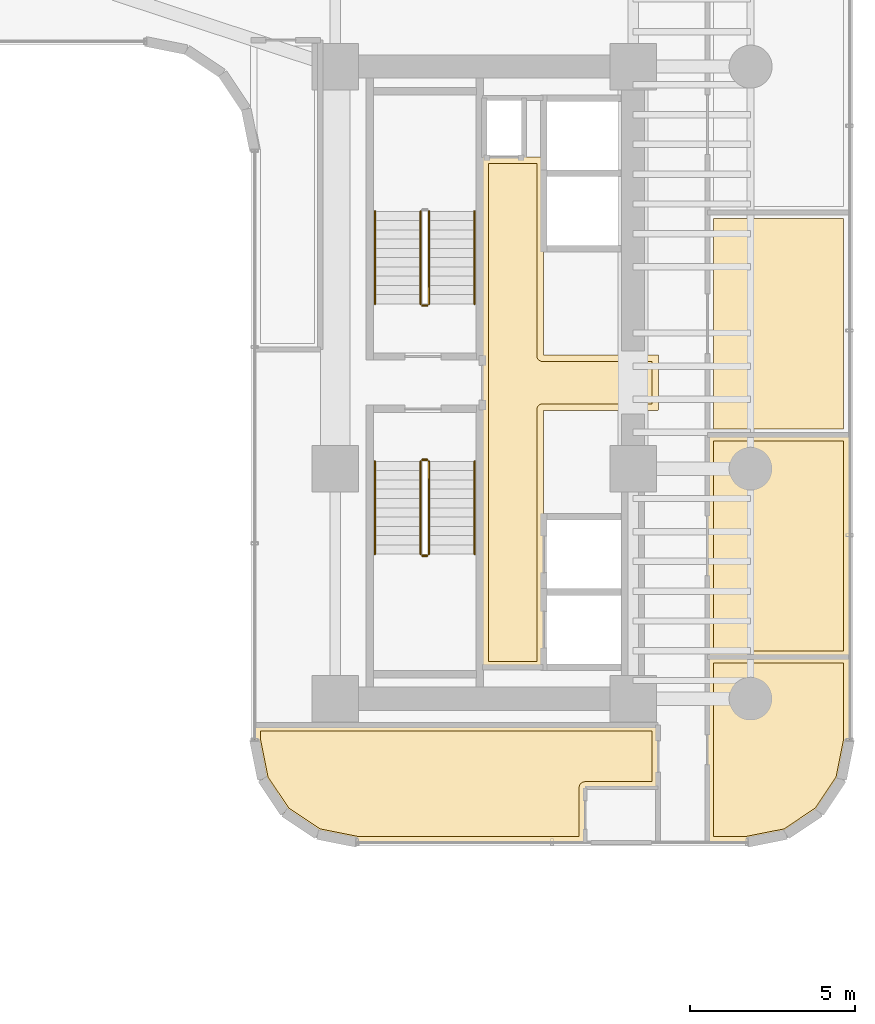
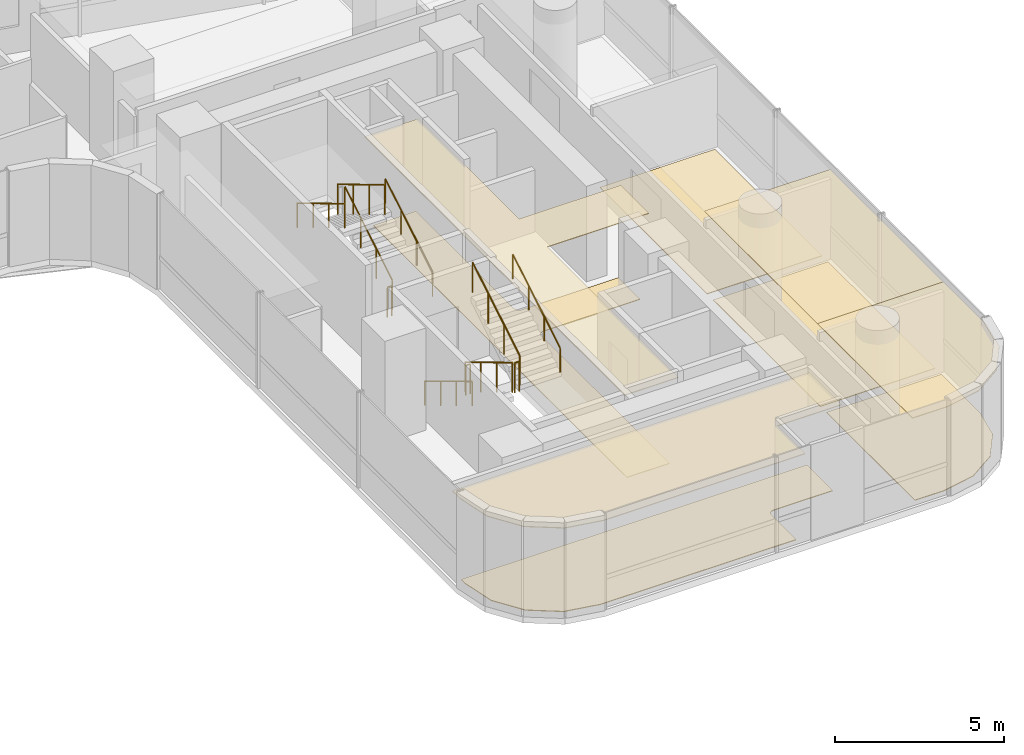
# One storey, part 37 of 40: 11 railings, 9 coverings.
"""IFC4 building model written with IfcOpenShell, lengths in metres."""

from ifc_helpers import new_model, si_unit, direction, frame, origin, origin_2d, place, context, subcontext, project, spatial, polyline, circle, outline, extrude, material, layer, layer_set, type_object, element, save


model = new_model("IFC4")

# Units and contexts
model_context = context("Model", 3, precision=1e-05, world=origin(), true_north=direction((0.0, 1.0)))
body_context = subcontext(model_context, "Body", "Model", "MODEL_VIEW")
ifc_project = project(units=[si_unit("LENGTHUNIT", "METRE"), si_unit("AREAUNIT", "SQUARE_METRE"), si_unit("VOLUMEUNIT", "CUBIC_METRE"), si_unit("PLANEANGLEUNIT", "RADIAN"), si_unit("MASSUNIT", "GRAM", prefix="KILO")], contexts=[model_context])

# Site, building, storey
site_placement = place(None, origin())
site = spatial("IfcSite", under=ifc_project, at=site_placement, CompositionType="ELEMENT")
building_placement = place(site_placement, origin())
building = spatial("IfcBuilding", under=site, at=building_placement, Name="Valdorenza Pilgrim Sanctuary Tower", CompositionType="ELEMENT")
storey_placement = place(building_placement, frame((0.0, 0.0, 40.800048828125)))
storey = spatial("IfcBuildingStorey", under=building, at=storey_placement, Name="L09", CompositionType="ELEMENT", Elevation=40.800048828125)

# Coverings
ifc_material_1 = material(Name="Micro-perforated acoustic mineral ceiling tile", Category="gypsum")
ifc_layer_1 = layer(ifc_material_1, 0.02490234375, Name="Micro-perforated acoustic mineral ceiling tile")
ifc_layer_set_1 = layer_set([ifc_layer_1], Name="Micro-perforated acoustic mineral ceiling tile")
covering_type_1 = type_object("IfcCoveringType", Name="COV-CLG-ACU", PredefinedType="CEILING", material=ifc_layer_set_1)
covering_1_placement = place(storey_placement, frame((0.0, 0.0, 3.159912109375)))
element("IfcCovering", 1, at=covering_1_placement, inside=storey, type_object=covering_type_1, Name="L09 Core B Passenger Lift Lobby Acoustic Ceiling", PredefinedType="CEILING", context=body_context, shape_type="SweptSolid", body=[
    extrude(outline(polyline([(20.287109375, -0.814697265625), (20.287109375, 0.814697265625), (20.28662109375, 0.815185546875), (20.2861328125, 0.81640625), (20.28564453125, 0.81787109375), (20.285400390625, 0.819091796875), (20.28515625, 0.820556640625), (20.284912109375, 0.822021484375), (20.284912109375, 6.800048828125), (20.28515625, 6.801513671875), (20.285400390625, 6.802978515625), (20.28564453125, 6.804443359375), (20.2861328125, 6.8056640625), (20.286865234375, 6.80712890625), (20.28759765625, 6.808349609375), (20.288330078125, 6.8095703125), (20.289306640625, 6.810546875), (20.29052734375, 6.8115234375), (20.291748046875, 6.8125), (20.29296875, 6.813232421875), (20.294189453125, 6.81396484375), (20.295654296875, 6.814453125), (20.297119140625, 6.814697265625), (20.298583984375, 6.81494140625), (20.300048828125, 6.81494140625), (20.347900390625, 6.81494140625), (20.349365234375, 6.81494140625), (20.350830078125, 6.814697265625), (20.352294921875, 6.814453125), (20.353515625, 6.81396484375), (20.35498046875, 6.813232421875), (20.35546875, 6.81298828125), (21.544677734375, 6.81298828125), (21.545166015625, 6.813232421875), (21.54638671875, 6.81396484375), (21.5478515625, 6.814453125), (21.54931640625, 6.814697265625), (21.550537109375, 6.81494140625), (21.552001953125, 6.81494140625), (22.1201171875, 6.81494140625), (22.12158203125, 6.81494140625), (22.122802734375, 6.814697265625), (22.12451171875, 6.814453125), (22.125732421875, 6.81396484375), (22.127197265625, 6.813232421875), (22.12841796875, 6.8125), (22.12939453125, 6.8115234375), (22.130615234375, 6.810546875), (22.131591796875, 6.8095703125), (22.132568359375, 6.808349609375), (22.13330078125, 6.80712890625), (22.1337890625, 6.8056640625), (22.134521484375, 6.804443359375), (22.134765625, 6.802978515625), (22.135009765625, 6.801513671875), (22.135009765625, 6.800048828125), (22.135009765625, 0.8349609375), (25.60009765625, 0.8349609375), (25.6015625, 0.8349609375), (25.602783203125, 0.834716796875), (25.6044921875, 0.83447265625), (25.605712890625, 0.833984375), (25.607177734375, 0.833251953125), (25.6083984375, 0.83251953125), (25.609619140625, 0.83154296875), (25.610595703125, 0.83056640625), (25.611572265625, 0.82958984375), (25.612548828125, 0.828369140625), (25.61328125, 0.8271484375), (25.614013671875, 0.82568359375), (25.614501953125, 0.824462890625), (25.61474609375, 0.822998046875), (25.614990234375, 0.821533203125), (25.614990234375, 0.820068359375), (25.614990234375, -0.820068359375), (25.614990234375, -0.821533203125), (25.61474609375, -0.822998046875), (25.614501953125, -0.824462890625), (25.614013671875, -0.82568359375), (25.61328125, -0.8271484375), (25.612548828125, -0.828369140625), (25.611572265625, -0.82958984375), (25.610595703125, -0.83056640625), (25.609619140625, -0.83154296875), (25.6083984375, -0.83251953125), (25.607177734375, -0.833251953125), (25.605712890625, -0.833984375), (25.6044921875, -0.83447265625), (25.602783203125, -0.834716796875), (25.6015625, -0.8349609375), (25.60009765625, -0.8349609375), (22.135009765625, -0.8349609375), (22.135009765625, -8.60009765625), (22.135009765625, -8.6015625), (22.134765625, -8.602783203125), (22.134521484375, -8.6044921875), (22.1337890625, -8.605712890625), (22.13330078125, -8.607177734375), (22.132568359375, -8.6083984375), (22.131591796875, -8.609619140625), (22.130615234375, -8.610595703125), (22.12939453125, -8.611572265625), (22.12841796875, -8.612548828125), (22.127197265625, -8.61328125), (22.125732421875, -8.614013671875), (22.12451171875, -8.614501953125), (22.122802734375, -8.61474609375), (22.12158203125, -8.614990234375), (22.1201171875, -8.614990234375), (20.300048828125, -8.614990234375), (20.298583984375, -8.614990234375), (20.297119140625, -8.61474609375), (20.295654296875, -8.614501953125), (20.294189453125, -8.614013671875), (20.29296875, -8.61328125), (20.291748046875, -8.612548828125), (20.29052734375, -8.611572265625), (20.289306640625, -8.610595703125), (20.288330078125, -8.609619140625), (20.28759765625, -8.6083984375), (20.286865234375, -8.607177734375), (20.2861328125, -8.605712890625), (20.28564453125, -8.6044921875), (20.285400390625, -8.602783203125), (20.28515625, -8.6015625), (20.284912109375, -8.60009765625), (20.284912109375, -0.822021484375), (20.28515625, -0.820556640625), (20.285400390625, -0.819091796875), (20.28564453125, -0.81787109375), (20.2861328125, -0.81640625), (20.28662109375, -0.815185546875), (20.287109375, -0.814697265625)])), origin(), (0.0, 0.0, 1.0), 0.025146484375),
])
covering_2_placement = place(storey_placement, frame((0.0, 0.0, 3.159912109375)))
element("IfcCovering", 2, at=covering_2_placement, inside=storey, type_object=covering_type_1, Name="L09 East South Guest Room L09-ES1 Acoustic Ceiling", PredefinedType="CEILING", context=body_context, shape_type="SweptSolid", body=[
    extrude(outline(polyline([(23.4130859375, -12.2529296875), (23.4130859375, -13.889892578125), (23.412841796875, -13.8916015625), (23.41259765625, -13.892822265625), (23.412353515625, -13.894287109375), (23.411865234375, -13.895751953125), (23.4111328125, -13.897216796875), (23.410400390625, -13.898193359375), (23.40966796875, -13.8994140625), (23.40869140625, -13.900634765625), (23.407470703125, -13.901611328125), (23.40625, -13.902587890625), (23.405029296875, -13.9033203125), (23.40380859375, -13.90380859375), (23.40234375, -13.904296875), (23.40087890625, -13.90478515625), (23.3994140625, -13.90478515625), (23.39794921875, -13.905029296875), (16.5107421875, -13.905029296875), (16.509521484375, -13.90478515625), (16.5078125, -13.90478515625), (15.3154296875, -13.66748046875), (15.31396484375, -13.6669921875), (15.3125, -13.66650390625), (15.311279296875, -13.666015625), (15.31005859375, -13.665283203125), (14.308349609375, -12.995849609375), (14.30712890625, -12.9951171875), (14.305908203125, -12.993896484375), (14.304931640625, -12.992919921875), (14.30419921875, -12.99169921875), (13.634765625, -11.989990234375), (13.634033203125, -11.98876953125), (13.63330078125, -11.9873046875), (13.6328125, -11.986083984375), (13.632568359375, -11.984619140625), (13.395263671875, -10.7919921875), (13.39501953125, -10.79052734375), (13.39501953125, -10.789306640625), (13.39501953125, -10.35009765625), (13.39501953125, -10.348388671875), (13.395263671875, -10.34716796875), (13.3955078125, -10.345703125), (13.39599609375, -10.34423828125), (13.396728515625, -10.343017578125), (13.3974609375, -10.341796875), (13.3984375, -10.340576171875), (13.3994140625, -10.33935546875), (13.400390625, -10.33837890625), (13.401611328125, -10.33740234375), (13.40283203125, -10.3369140625), (13.404296875, -10.336181640625), (13.405517578125, -10.335693359375), (13.406982421875, -10.335205078125), (13.408447265625, -10.335205078125), (13.409912109375, -10.3349609375), (25.60009765625, -10.3349609375), (25.6015625, -10.335205078125), (25.602783203125, -10.335205078125), (25.6044921875, -10.335693359375), (25.605712890625, -10.336181640625), (25.607177734375, -10.3369140625), (25.6083984375, -10.33740234375), (25.609619140625, -10.33837890625), (25.610595703125, -10.33935546875), (25.611572265625, -10.340576171875), (25.612548828125, -10.341796875), (25.61328125, -10.343017578125), (25.614013671875, -10.34423828125), (25.614501953125, -10.345703125), (25.61474609375, -10.34716796875), (25.614990234375, -10.348388671875), (25.614990234375, -10.35009765625), (25.614990234375, -12.238037109375), (25.614990234375, -12.239501953125), (25.61474609375, -12.240966796875), (25.614501953125, -12.242431640625), (25.614013671875, -12.24365234375), (25.61328125, -12.2451171875), (25.612548828125, -12.246337890625), (25.611572265625, -12.24755859375), (25.610595703125, -12.24853515625), (25.609619140625, -12.24951171875), (25.6083984375, -12.25048828125), (25.607177734375, -12.251220703125), (25.605712890625, -12.251953125), (25.6044921875, -12.25244140625), (25.602783203125, -12.252685546875), (25.6015625, -12.2529296875), (25.60009765625, -12.2529296875), (23.4130859375, -12.2529296875)])), origin(), (0.0, 0.0, 1.0), 0.025146484375),
])
covering_3_placement = place(storey_placement, frame((0.0, 0.0, 3.159912109375)))
element("IfcCovering", 3, at=covering_3_placement, inside=storey, type_object=covering_type_1, Name="L09 East Reading Lounge L09-EB1 Acoustic Ceiling", PredefinedType="CEILING", context=body_context, shape_type="SweptSolid", body=[
    extrude(outline(polyline([(31.389892578125, -8.2724609375), (31.3916015625, -8.272705078125), (31.392822265625, -8.272705078125), (31.394287109375, -8.273193359375), (31.395751953125, -8.273681640625), (31.397216796875, -8.2744140625), (31.398193359375, -8.27490234375), (31.3994140625, -8.27587890625), (31.400634765625, -8.27685546875), (31.401611328125, -8.278076171875), (31.402587890625, -8.279296875), (31.4033203125, -8.280517578125), (31.40380859375, -8.28173828125), (31.404296875, -8.283203125), (31.40478515625, -8.28466796875), (31.40478515625, -8.285888671875), (31.405029296875, -8.28759765625), (31.405029296875, -10.789306640625), (31.40478515625, -10.79052734375), (31.40478515625, -10.7919921875), (31.16748046875, -11.984619140625), (31.1669921875, -11.986083984375), (31.16650390625, -11.9873046875), (31.166015625, -11.98876953125), (31.165283203125, -11.989990234375), (30.495849609375, -12.99169921875), (30.4951171875, -12.992919921875), (30.493896484375, -12.993896484375), (30.492919921875, -12.9951171875), (30.49169921875, -12.995849609375), (29.489990234375, -13.665283203125), (29.48876953125, -13.666015625), (29.4873046875, -13.66650390625), (29.486083984375, -13.6669921875), (29.484619140625, -13.66748046875), (28.2919921875, -13.90478515625), (28.29052734375, -13.90478515625), (28.289306640625, -13.905029296875), (27.10009765625, -13.905029296875), (27.098388671875, -13.90478515625), (27.09716796875, -13.90478515625), (27.095703125, -13.904296875), (27.09423828125, -13.90380859375), (27.093017578125, -13.9033203125), (27.091796875, -13.902587890625), (27.090576171875, -13.901611328125), (27.08935546875, -13.900634765625), (27.08837890625, -13.8994140625), (27.08740234375, -13.898193359375), (27.0869140625, -13.897216796875), (27.086181640625, -13.895751953125), (27.085693359375, -13.894287109375), (27.085205078125, -13.892822265625), (27.085205078125, -13.8916015625), (27.0849609375, -13.889892578125), (27.0849609375, -8.28759765625), (27.085205078125, -8.285888671875), (27.085205078125, -8.28466796875), (27.085693359375, -8.283203125), (27.086181640625, -8.28173828125), (27.0869140625, -8.280517578125), (27.08740234375, -8.279296875), (27.08837890625, -8.278076171875), (27.08935546875, -8.27685546875), (27.090576171875, -8.27587890625), (27.091796875, -8.27490234375), (27.093017578125, -8.2744140625), (27.09423828125, -8.273681640625), (27.095703125, -8.273193359375), (27.09716796875, -8.272705078125), (27.098388671875, -8.272705078125), (27.10009765625, -8.2724609375), (31.389892578125, -8.2724609375)])), origin(), (0.0, 0.0, 1.0), 0.025146484375),
])
covering_4_placement = place(storey_placement, frame((0.0, 0.0, 3.159912109375)))
element("IfcCovering", 4, at=covering_4_placement, inside=storey, type_object=covering_type_1, Name="L09 East Reading Lounge L09-EB2 Acoustic Ceiling", PredefinedType="CEILING", context=body_context, shape_type="SweptSolid", body=[
    extrude(outline(polyline([(27.0849609375, -1.574951171875), (27.085205078125, -1.573486328125), (27.085205078125, -1.572021484375), (27.085693359375, -1.570556640625), (27.086181640625, -1.5693359375), (27.0869140625, -1.56787109375), (27.08740234375, -1.566650390625), (27.08837890625, -1.5654296875), (27.08935546875, -1.564453125), (27.090576171875, -1.5634765625), (27.091796875, -1.5625), (27.093017578125, -1.561767578125), (27.09423828125, -1.56103515625), (27.095703125, -1.560546875), (27.09716796875, -1.560302734375), (27.098388671875, -1.56005859375), (27.10009765625, -1.56005859375), (31.389892578125, -1.56005859375), (31.3916015625, -1.56005859375), (31.392822265625, -1.560302734375), (31.394287109375, -1.560546875), (31.395751953125, -1.56103515625), (31.397216796875, -1.561767578125), (31.398193359375, -1.5625), (31.3994140625, -1.5634765625), (31.400634765625, -1.564453125), (31.401611328125, -1.5654296875), (31.402587890625, -1.566650390625), (31.4033203125, -1.56787109375), (31.40380859375, -1.5693359375), (31.404296875, -1.570556640625), (31.40478515625, -1.572021484375), (31.40478515625, -1.573486328125), (31.405029296875, -1.574951171875), (31.405029296875, -8.285400390625), (31.40478515625, -8.287109375), (31.40478515625, -8.288330078125), (31.404296875, -8.289794921875), (31.40380859375, -8.291259765625), (31.4033203125, -8.29248046875), (31.402587890625, -8.293701171875), (31.401611328125, -8.294921875), (31.400634765625, -8.296142578125), (31.3994140625, -8.297119140625), (31.398193359375, -8.298095703125), (31.397216796875, -8.298583984375), (31.395751953125, -8.29931640625), (31.394287109375, -8.2998046875), (31.392822265625, -8.30029296875), (31.3916015625, -8.30029296875), (31.389892578125, -8.300537109375), (27.10009765625, -8.300537109375), (27.098388671875, -8.30029296875), (27.09716796875, -8.30029296875), (27.095703125, -8.2998046875), (27.09423828125, -8.29931640625), (27.093017578125, -8.298583984375), (27.091796875, -8.298095703125), (27.090576171875, -8.297119140625), (27.08935546875, -8.296142578125), (27.08837890625, -8.294921875), (27.08740234375, -8.293701171875), (27.0869140625, -8.29248046875), (27.086181640625, -8.291259765625), (27.085693359375, -8.289794921875), (27.085205078125, -8.288330078125), (27.085205078125, -8.287109375), (27.0849609375, -8.285400390625), (27.0849609375, -1.574951171875)])), origin(), (0.0, 0.0, 1.0), 0.025146484375),
])
ifc_material_2 = material(Name="Engineered European oak timber flooring", Category="wood")
ifc_layer_2 = layer(ifc_material_2, 0.02197265625, Name="Engineered European oak timber flooring")
ifc_layer_set_2 = layer_set([ifc_layer_2], Name="Engineered European oak timber flooring")
covering_type_2 = type_object("IfcCoveringType", Name="COV-FLR-OAK", PredefinedType="FLOORING", material=ifc_layer_set_2)
covering_5_placement = place(storey_placement, origin())
element("IfcCovering", 5, at=covering_5_placement, inside=storey, type_object=covering_type_2, Name="L09 East South Guest Room L09-ES1 Flooring", PredefinedType="FLOORING", context=body_context, shape_type="SweptSolid", body=[
    extrude(outline(polyline([(25.419921875, -10.530029296875), (25.419921875, -12.05810546875), (23.39990234375, -12.05810546875), (23.39111328125, -12.05810546875), (23.39111328125, -12.05810546875), (23.373291015625, -12.06005859375), (23.373291015625, -12.06005859375), (23.35595703125, -12.0634765625), (23.355712890625, -12.0634765625), (23.3388671875, -12.068603515625), (23.338623046875, -12.068603515625), (23.322265625, -12.075439453125), (23.322021484375, -12.075439453125), (23.306396484375, -12.083740234375), (23.306396484375, -12.083984375), (23.291748046875, -12.09375), (23.29150390625, -12.093994140625), (23.27783203125, -12.10498046875), (23.277587890625, -12.105224609375), (23.26513671875, -12.11767578125), (23.26513671875, -12.117919921875), (23.25390625, -12.131591796875), (23.25390625, -12.131591796875), (23.243896484375, -12.146484375), (23.243896484375, -12.146484375), (23.235595703125, -12.162109375), (23.2353515625, -12.162353515625), (23.228759765625, -12.1787109375), (23.228515625, -12.1787109375), (23.223388671875, -12.19580078125), (23.223388671875, -12.19580078125), (23.219970703125, -12.213134765625), (23.219970703125, -12.21337890625), (23.21826171875, -12.23095703125), (23.21826171875, -12.231201171875), (23.218017578125, -12.239990234375), (23.218017578125, -13.7099609375), (16.528564453125, -13.7099609375), (15.388671875, -13.483154296875), (14.4462890625, -12.853515625), (13.81689453125, -11.911376953125), (13.590087890625, -10.771484375), (13.590087890625, -10.530029296875), (25.419921875, -10.530029296875)])), origin(), (0.0, 0.0, 1.0), 0.02490234375),
])
ifc_material_3 = material(Name="Honed travertine stone flooring", Category="masonry")
ifc_layer_3 = layer(ifc_material_3, 0.030029296875, Name="Honed travertine stone flooring")
ifc_layer_set_3 = layer_set([ifc_layer_3], Name="Honed travertine stone flooring")
covering_type_3 = type_object("IfcCoveringType", Name="COV-FLR-TRV", PredefinedType="FLOORING", material=ifc_layer_set_3)
covering_6_placement = place(storey_placement, origin())
element("IfcCovering", 6, at=covering_6_placement, inside=storey, type_object=covering_type_3, Name="L09 Core B Passenger Lift Lobby Flooring", PredefinedType="FLOORING", context=body_context, shape_type="SweptSolid", body=[
    extrude(outline(polyline([(20.47998046875, 6.617919921875), (21.550048828125, 6.617919921875), (21.550537109375, 6.617919921875), (21.93994140625, 6.619384765625), (21.93994140625, 0.820068359375), (21.94091796875, 0.802490234375), (21.943603515625, 0.784912109375), (21.94775390625, 0.767578125), (21.95361328125, 0.751220703125), (21.961181640625, 0.735107421875), (21.97021484375, 0.719970703125), (21.98095703125, 0.705810546875), (21.99267578125, 0.692626953125), (22.005859375, 0.680908203125), (22.02001953125, 0.67041015625), (22.03515625, 0.661376953125), (22.051025390625, 0.65380859375), (22.067626953125, 0.647705078125), (22.0849609375, 0.6435546875), (22.102294921875, 0.640869140625), (22.1201171875, 0.639892578125), (25.419921875, 0.639892578125), (25.419921875, -0.639892578125), (22.1201171875, -0.639892578125), (22.102294921875, -0.640869140625), (22.0849609375, -0.6435546875), (22.067626953125, -0.647705078125), (22.051025390625, -0.65380859375), (22.03515625, -0.661376953125), (22.02001953125, -0.67041015625), (22.005859375, -0.680908203125), (21.99267578125, -0.692626953125), (21.98095703125, -0.705810546875), (21.97021484375, -0.719970703125), (21.961181640625, -0.735107421875), (21.95361328125, -0.751220703125), (21.94775390625, -0.767578125), (21.943603515625, -0.784912109375), (21.94091796875, -0.802490234375), (21.93994140625, -0.820068359375), (21.93994140625, -8.419921875), (20.47998046875, -8.419921875), (20.47998046875, -0.846923828125), (20.47998046875, -0.8466796875), (20.47998046875, -0.8466796875), (20.481689453125, -0.8291015625), (20.481689453125, -0.828857421875), (20.48193359375, -0.820068359375), (20.48193359375, 0.820068359375), (20.47998046875, 6.617919921875)])), origin(), (0.0, 0.0, 1.0), 0.02490234375),
])
covering_7_placement = place(storey_placement, origin())
element("IfcCovering", 7, at=covering_7_placement, inside=storey, type_object=covering_type_3, Name="L09 East Reading Lounge L09-EB1 Flooring", PredefinedType="FLOORING", context=body_context, shape_type="SweptSolid", body=[
    extrude(outline(polyline([(31.2099609375, -8.467529296875), (31.2099609375, -10.771484375), (30.983154296875, -11.911376953125), (30.353515625, -12.853515625), (29.411376953125, -13.483154296875), (28.271484375, -13.7099609375), (27.280029296875, -13.7099609375), (27.280029296875, -8.467529296875), (31.2099609375, -8.467529296875)])), origin(), (0.0, 0.0, 1.0), 0.02490234375),
])
covering_8_placement = place(storey_placement, origin())
element("IfcCovering", 8, at=covering_8_placement, inside=storey, type_object=covering_type_3, Name="L09 East Reading Lounge L09-EB2 Flooring", PredefinedType="FLOORING", context=body_context, shape_type="SweptSolid", body=[
    extrude(outline(polyline([(27.280029296875, -1.7548828125), (31.2099609375, -1.7548828125), (31.2099609375, -8.10546875), (27.280029296875, -8.10546875), (27.280029296875, -1.7548828125)])), origin(), (0.0, 0.0, 1.0), 0.02490234375),
])
covering_9_placement = place(storey_placement, origin())
element("IfcCovering", 9, at=covering_9_placement, inside=storey, type_object=covering_type_3, Name="L09 East Reading Lounge L09-EB3 Flooring", PredefinedType="FLOORING", context=body_context, shape_type="SweptSolid", body=[
    extrude(outline(polyline([(27.280029296875, 4.95751953125), (31.2099609375, 4.95751953125), (31.2099609375, -1.39306640625), (27.280029296875, -1.39306640625), (27.280029296875, 4.95751953125)])), origin(), (0.0, 0.0, 1.0), 0.02490234375),
])

# Railings
ifc_material_4 = material(Name="Stainless steel Grade 316", Category="steel")
railing_type_1 = type_object("IfcRailingType", Name="RLG-GRD-1120", PredefinedType="GUARDRAIL", material=ifc_material_4)
railing_1_placement = place(storey_placement, frame((18.679931640625, 2.3798828125, 0.168212890625)))
element("IfcRailing", 10, at=railing_1_placement, inside=storey, type_object=railing_type_1, Name="L09 ST-B1 stair guard 1", PredefinedType="GUARDRAIL", context=body_context, shape_type="SweptSolid", body=[
    extrude(circle(Radius=0.02392578125, at=origin_2d()), frame((0.0, 0.0, 1.076171875), z_axis=(0.0, 0.857275202839, 0.514858452973), x_axis=(-1.0, 0.0, 0.0)), (0.0, 0.0, 1.0), 3.26611328125),
    extrude(circle(Radius=0.02099609375, at=origin_2d()), origin(), (0.0, 0.0, 1.0), 1.052001953125),
    extrude(circle(Radius=0.02099609375, at=origin_2d()), frame((0.0, 0.933349609375, 0.560546875)), (0.0, 0.0, 1.0), 1.052001953125),
    extrude(circle(Radius=0.02099609375, at=origin_2d()), frame((0.0, 1.86669921875, 1.12109375)), (0.0, 0.0, 1.0), 1.052001953125),
    extrude(circle(Radius=0.02099609375, at=origin_2d()), frame((0.0, 2.800048828125, 1.681640625)), (0.0, 0.0, 1.0), 1.052001953125),
])
railing_2_placement = place(storey_placement, frame((18.429931640625, 5.179931640625, 2.01806640625)))
element("IfcRailing", 11, at=railing_2_placement, inside=storey, type_object=railing_type_1, Name="L09 ST-B1 stair guard 3", PredefinedType="GUARDRAIL", context=body_context, shape_type="SweptSolid", body=[
    extrude(circle(Radius=0.02392578125, at=origin_2d()), frame((0.0, 0.0, 1.076171875), z_axis=(0.0, -0.857242210791, 0.514913383045), x_axis=(1.0, 0.0, 0.0)), (0.0, 0.0, 1.0), 3.266357421875),
    extrude(circle(Radius=0.02099609375, at=origin_2d()), origin(), (0.0, 0.0, 1.0), 1.052001953125),
    extrude(circle(Radius=0.02099609375, at=origin_2d()), frame((0.0, -0.933349609375, 0.560546875)), (0.0, 0.0, 1.0), 1.052001953125),
    extrude(circle(Radius=0.02099609375, at=origin_2d()), frame((0.0, -1.86669921875, 1.121337890625)), (0.0, 0.0, 1.0), 1.052001953125),
    extrude(circle(Radius=0.02099609375, at=origin_2d()), frame((0.0, -2.800048828125, 1.681884765625)), (0.0, 0.0, 1.0), 1.052001953125),
])
railing_3_placement = place(storey_placement, frame((18.6298828125, 2.330078125, 0.0)))
element("IfcRailing", 12, at=railing_3_placement, inside=storey, type_object=railing_type_1, Name="L09 ST-B1 stair guard 4", PredefinedType="GUARDRAIL", context=body_context, shape_type="SweptSolid", body=[
    extrude(circle(Radius=0.02392578125, at=origin_2d()), frame((0.0, 0.0, 1.076171875), z_axis=(-1.0, 0.0, 0.0), x_axis=(0.0, -1.0, 0.0)), (0.0, 0.0, 1.0), 0.14990234375),
    extrude(circle(Radius=0.02099609375, at=origin_2d()), origin(), (0.0, 0.0, 1.0), 1.052001953125),
    extrude(circle(Radius=0.02099609375, at=origin_2d()), frame((-0.14990234375, 0.0, 0.0)), (0.0, 0.0, 1.0), 1.052001953125),
])
railing_4_placement = place(storey_placement, frame((18.429931640625, -2.3798828125, 0.168212890625)))
element("IfcRailing", 13, at=railing_4_placement, inside=storey, type_object=railing_type_1, Name="L09 ST-B2 stair guard 1", PredefinedType="GUARDRAIL", context=body_context, shape_type="SweptSolid", body=[
    extrude(circle(Radius=0.02392578125, at=origin_2d()), frame((0.0, 0.0, 1.076171875), z_axis=(0.0, -0.857275202839, 0.514858452973), x_axis=(1.0, 0.0, 0.0)), (0.0, 0.0, 1.0), 3.26611328125),
    extrude(circle(Radius=0.02099609375, at=origin_2d()), origin(), (0.0, 0.0, 1.0), 1.052001953125),
    extrude(circle(Radius=0.02099609375, at=origin_2d()), frame((0.0, -0.933349609375, 0.560546875)), (0.0, 0.0, 1.0), 1.052001953125),
    extrude(circle(Radius=0.02099609375, at=origin_2d()), frame((0.0, -1.86669921875, 1.12109375)), (0.0, 0.0, 1.0), 1.052001953125),
    extrude(circle(Radius=0.02099609375, at=origin_2d()), frame((0.0, -2.800048828125, 1.681640625)), (0.0, 0.0, 1.0), 1.052001953125),
])
railing_5_placement = place(storey_placement, frame((18.47998046875, -5.22998046875, 1.849853515625)))
element("IfcRailing", 14, at=railing_5_placement, inside=storey, type_object=railing_type_1, Name="L09 ST-B2 stair guard 2", PredefinedType="GUARDRAIL", context=body_context, shape_type="SweptSolid", body=[
    extrude(circle(Radius=0.02392578125, at=origin_2d()), frame((0.0, 0.0, 1.076171875), z_axis=(1.0, 0.0, 0.0), x_axis=(0.0, 1.0, 0.0)), (0.0, 0.0, 1.0), 0.14990234375),
    extrude(circle(Radius=0.02099609375, at=origin_2d()), origin(), (0.0, 0.0, 1.0), 1.052001953125),
    extrude(circle(Radius=0.02099609375, at=origin_2d()), frame((0.14990234375, 0.0, 0.0)), (0.0, 0.0, 1.0), 1.052001953125),
])
railing_6_placement = place(storey_placement, frame((18.679931640625, -5.179931640625, 2.01806640625)))
element("IfcRailing", 15, at=railing_6_placement, inside=storey, type_object=railing_type_1, Name="L09 ST-B2 stair guard 3", PredefinedType="GUARDRAIL", context=body_context, shape_type="SweptSolid", body=[
    extrude(circle(Radius=0.02392578125, at=origin_2d()), frame((0.0, 0.0, 1.076171875), z_axis=(0.0, 0.857242210791, 0.514913383045), x_axis=(-1.0, 0.0, 0.0)), (0.0, 0.0, 1.0), 3.266357421875),
    extrude(circle(Radius=0.02099609375, at=origin_2d()), origin(), (0.0, 0.0, 1.0), 1.052001953125),
    extrude(circle(Radius=0.02099609375, at=origin_2d()), frame((0.0, 0.933349609375, 0.560546875)), (0.0, 0.0, 1.0), 1.052001953125),
    extrude(circle(Radius=0.02099609375, at=origin_2d()), frame((0.0, 1.86669921875, 1.121337890625)), (0.0, 0.0, 1.0), 1.052001953125),
    extrude(circle(Radius=0.02099609375, at=origin_2d()), frame((0.0, 2.800048828125, 1.681884765625)), (0.0, 0.0, 1.0), 1.052001953125),
])
railing_7_placement = place(storey_placement, frame((18.47998046875, -2.330078125, 0.0)))
element("IfcRailing", 16, at=railing_7_placement, inside=storey, type_object=railing_type_1, Name="L09 ST-B2 stair guard 4", PredefinedType="GUARDRAIL", context=body_context, shape_type="SweptSolid", body=[
    extrude(circle(Radius=0.02392578125, at=origin_2d()), frame((0.0, 0.0, 1.076171875), z_axis=(1.0, 0.0, 0.0), x_axis=(0.0, 1.0, 0.0)), (0.0, 0.0, 1.0), 0.14990234375),
    extrude(circle(Radius=0.02099609375, at=origin_2d()), origin(), (0.0, 0.0, 1.0), 1.052001953125),
    extrude(circle(Radius=0.02099609375, at=origin_2d()), frame((0.14990234375, 0.0, 0.0)), (0.0, 0.0, 1.0), 1.052001953125),
])
ifc_material_5 = material(Name="Brushed stainless steel Grade 316", Category="steel")
railing_type_2 = type_object("IfcRailingType", Name="RLG-HND-920", PredefinedType="HANDRAIL", material=ifc_material_5)
railing_8_placement = place(storey_placement, frame((20.06005859375, 2.3798828125, 0.168212890625)))
element("IfcRailing", 17, at=railing_8_placement, inside=storey, type_object=railing_type_2, Name="L09 ST-B1 stair handrail 1", PredefinedType="HANDRAIL", context=body_context, shape_type="SweptSolid", body=[
    extrude(circle(Radius=0.02392578125, at=origin_2d()), frame((0.0, 0.0, 0.8759765625), z_axis=(0.0, 0.857275202839, 0.514858452973), x_axis=(-1.0, 0.0, 0.0)), (0.0, 0.0, 1.0), 3.26611328125),
    extrude(circle(Radius=0.02099609375, at=origin_2d()), origin(), (0.0, 0.0, 1.0), 0.851806640625),
    extrude(circle(Radius=0.02099609375, at=origin_2d()), frame((0.0, 0.933349609375, 0.560546875)), (0.0, 0.0, 1.0), 0.851806640625),
    extrude(circle(Radius=0.02099609375, at=origin_2d()), frame((0.0, 1.86669921875, 1.12109375)), (0.0, 0.0, 1.0), 0.851806640625),
    extrude(circle(Radius=0.02099609375, at=origin_2d()), frame((0.0, 2.800048828125, 1.681640625)), (0.0, 0.0, 1.0), 0.851806640625),
])
railing_9_placement = place(storey_placement, frame((17.050048828125, 5.179931640625, 2.01806640625)))
element("IfcRailing", 18, at=railing_9_placement, inside=storey, type_object=railing_type_2, Name="L09 ST-B1 stair handrail 2", PredefinedType="HANDRAIL", context=body_context, shape_type="SweptSolid", body=[
    extrude(circle(Radius=0.02392578125, at=origin_2d()), frame((0.0, 0.0, 0.8759765625), z_axis=(0.0, -0.857242210791, 0.514913383045), x_axis=(1.0, 0.0, 0.0)), (0.0, 0.0, 1.0), 3.266357421875),
    extrude(circle(Radius=0.02099609375, at=origin_2d()), origin(), (0.0, 0.0, 1.0), 0.851806640625),
    extrude(circle(Radius=0.02099609375, at=origin_2d()), frame((0.0, -0.933349609375, 0.560546875)), (0.0, 0.0, 1.0), 0.851806640625),
    extrude(circle(Radius=0.02099609375, at=origin_2d()), frame((0.0, -1.86669921875, 1.121337890625)), (0.0, 0.0, 1.0), 0.851806640625),
    extrude(circle(Radius=0.02099609375, at=origin_2d()), frame((0.0, -2.800048828125, 1.681884765625)), (0.0, 0.0, 1.0), 0.851806640625),
])
railing_10_placement = place(storey_placement, frame((17.050048828125, -2.3798828125, 0.168212890625)))
element("IfcRailing", 19, at=railing_10_placement, inside=storey, type_object=railing_type_2, Name="L09 ST-B2 stair handrail 1", PredefinedType="HANDRAIL", context=body_context, shape_type="SweptSolid", body=[
    extrude(circle(Radius=0.02392578125, at=origin_2d()), frame((0.0, 0.0, 0.8759765625), z_axis=(0.0, -0.857275202839, 0.514858452973), x_axis=(1.0, 0.0, 0.0)), (0.0, 0.0, 1.0), 3.26611328125),
    extrude(circle(Radius=0.02099609375, at=origin_2d()), origin(), (0.0, 0.0, 1.0), 0.851806640625),
    extrude(circle(Radius=0.02099609375, at=origin_2d()), frame((0.0, -0.933349609375, 0.560546875)), (0.0, 0.0, 1.0), 0.851806640625),
    extrude(circle(Radius=0.02099609375, at=origin_2d()), frame((0.0, -1.86669921875, 1.12109375)), (0.0, 0.0, 1.0), 0.851806640625),
    extrude(circle(Radius=0.02099609375, at=origin_2d()), frame((0.0, -2.800048828125, 1.681640625)), (0.0, 0.0, 1.0), 0.851806640625),
])
railing_11_placement = place(storey_placement, frame((20.06005859375, -5.179931640625, 2.01806640625)))
element("IfcRailing", 20, at=railing_11_placement, inside=storey, type_object=railing_type_2, Name="L09 ST-B2 stair handrail 2", PredefinedType="HANDRAIL", context=body_context, shape_type="SweptSolid", body=[
    extrude(circle(Radius=0.02392578125, at=origin_2d()), frame((0.0, 0.0, 0.8759765625), z_axis=(0.0, 0.857242210791, 0.514913383045), x_axis=(-1.0, 0.0, 0.0)), (0.0, 0.0, 1.0), 3.266357421875),
    extrude(circle(Radius=0.02099609375, at=origin_2d()), origin(), (0.0, 0.0, 1.0), 0.851806640625),
    extrude(circle(Radius=0.02099609375, at=origin_2d()), frame((0.0, 0.933349609375, 0.560546875)), (0.0, 0.0, 1.0), 0.851806640625),
    extrude(circle(Radius=0.02099609375, at=origin_2d()), frame((0.0, 1.86669921875, 1.121337890625)), (0.0, 0.0, 1.0), 0.851806640625),
    extrude(circle(Radius=0.02099609375, at=origin_2d()), frame((0.0, 2.800048828125, 1.681884765625)), (0.0, 0.0, 1.0), 0.851806640625),
])

save(model, "model.ifc")
